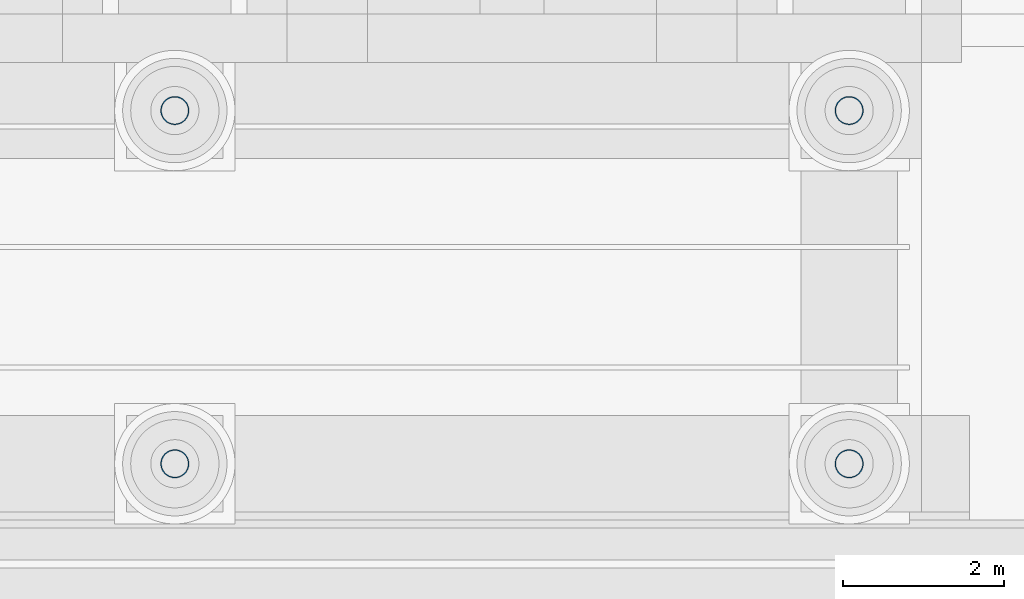
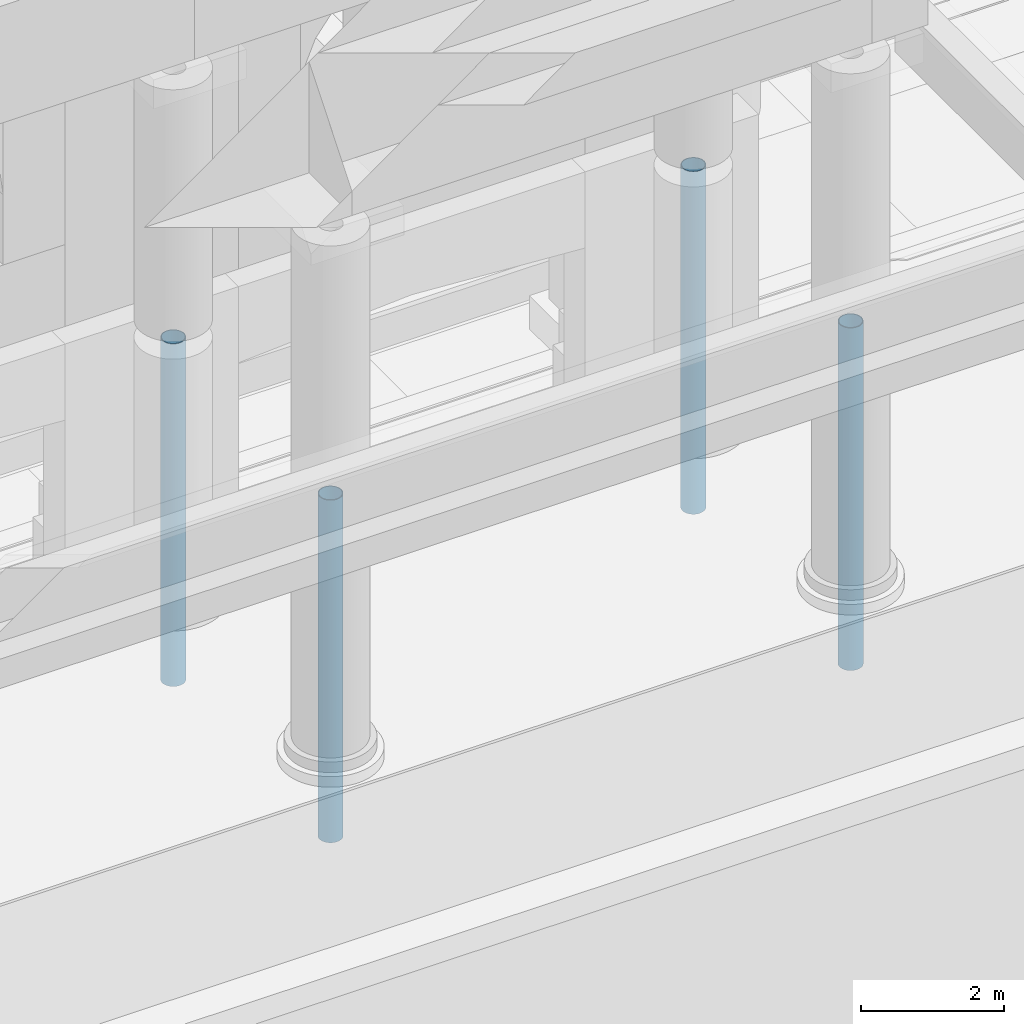
# One storey, part 13 of 222: 4 columns.
"""IFC4 building model written with IfcOpenShell, lengths in metres."""

from ifc_helpers import new_model, si_unit, direction, frame, origin, origin_2d, place, context, subcontext, project, spatial, hollow_circle, extrude, material, material_profile, profile_set, type_object, element, save


model = new_model("IFC4")

# Units and contexts
model_context = context("Model", 3, precision=1e-05, world=origin(), true_north=direction((0.0, 1.0)))
body_context = subcontext(model_context, "Body", "Model", "MODEL_VIEW")
ifc_project = project(units=[si_unit("LENGTHUNIT", "METRE"), si_unit("AREAUNIT", "SQUARE_METRE"), si_unit("VOLUMEUNIT", "CUBIC_METRE"), si_unit("PLANEANGLEUNIT", "RADIAN"), si_unit("MASSUNIT", "GRAM", prefix="KILO")], contexts=[model_context])

# Site, building, storey
site_placement = place(None, origin())
site = spatial("IfcSite", under=ifc_project, at=site_placement, CompositionType="ELEMENT")
building_placement = place(site_placement, origin())
building = spatial("IfcBuilding", under=site, at=building_placement, Name="Sava Quay Ferry Terminal", CompositionType="ELEMENT")
storey_placement = place(building_placement, origin())
storey = spatial("IfcBuildingStorey", under=building, at=storey_placement, Name="L00", CompositionType="ELEMENT", Elevation=0.0)

# Columns
ifc_material = material(Name="Steel S355", Category="steel")
ifc_material_profile = material_profile(ifc_material, hollow_circle(Radius=0.177734375, WallThickness=0.012451171875, at=origin_2d()), Name="CHS 355.6 x 12.5")
ifc_profile_set = profile_set([ifc_material_profile], Name="Steel S355")
column_type = type_object("IfcColumnType", Name="Column CHS 355.6 x 12.5", PredefinedType="COLUMN", material=ifc_profile_set)
for number, where, z_axis, x_axis, name in (
    (1, (92.39990234375, -5.199951171875, -1.35009765625), (0.0, 0.0, 1.0), (1.0, 0.0, 0.0), "Porte-cochere column 92.4/-5.2"),
    (2, (100.800048828125, -5.199951171875, -1.35009765625), (0.0, 0.0, 1.0), (1.0, 0.0, 0.0), "Porte-cochere column 100.8/-5.2"),
    (3, (92.39990234375, -0.800048828125, -1.35009765625), (0.0, 0.0, 1.0), (1.0, 0.0, 0.0), "Porte-cochere column 92.4/-0.8"),
    (4, (100.800048828125, -0.800048828125, -1.35009765625), (0.0, 0.0, 1.0), (1.0, 0.0, 0.0), "Porte-cochere column 100.8/-0.8"),
):
    element("IfcColumn", number, at=place(storey_placement, frame(where, z_axis=z_axis, x_axis=x_axis)), inside=storey, type_object=column_type, Name=name, PredefinedType="COLUMN", context=body_context, shape_type="SweptSolid", body=[
        extrude(hollow_circle(Radius=0.177734375, WallThickness=0.012451171875, at=origin_2d()), origin(), (0.0, 0.0, 1.0), 5.85009765625),
    ])

save(model, "model.ifc")
